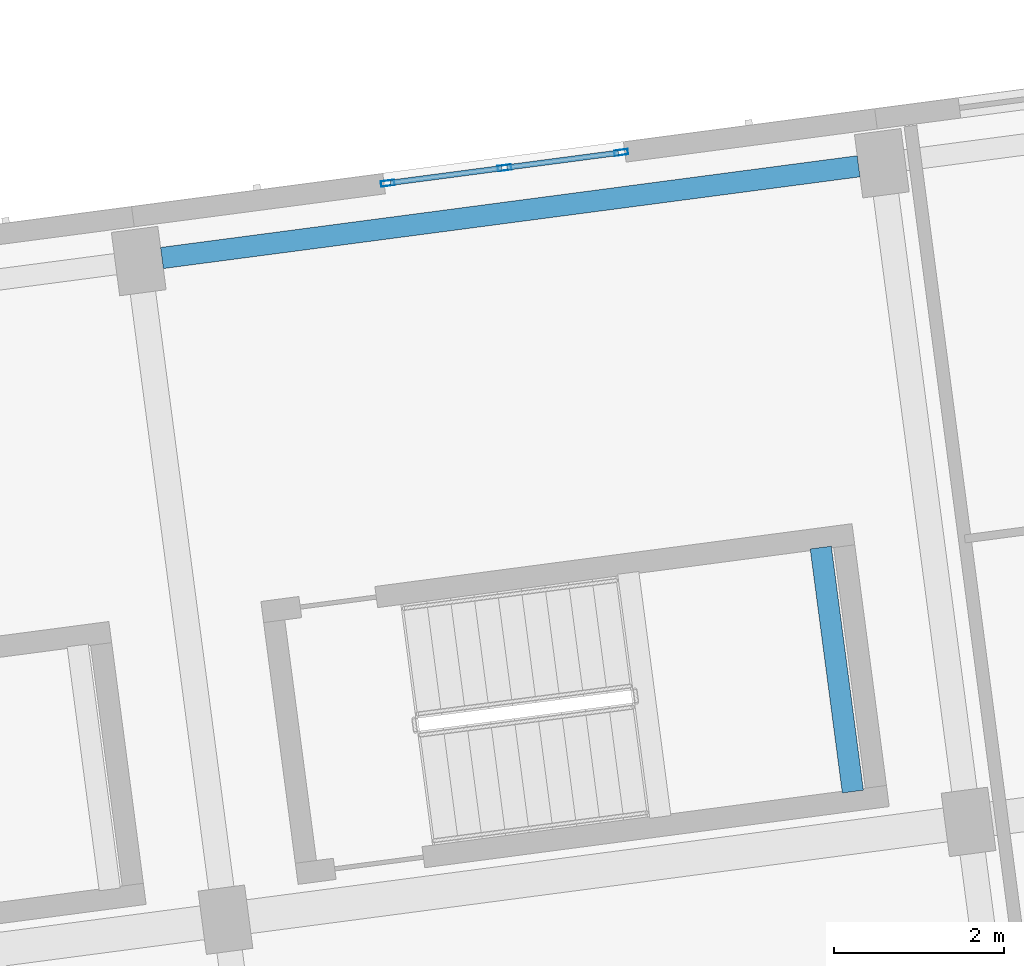
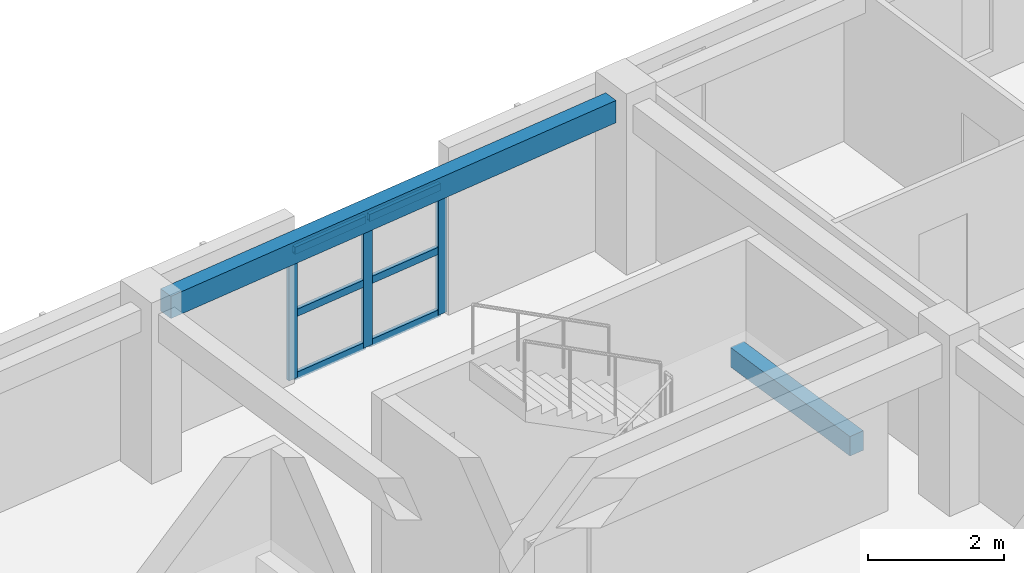
# One storey, part 3 of 65: 9 members, 2 beams, 1 element without a shape of its own.
"""IFC4 building model written with IfcOpenShell, lengths in metres."""

from ifc_helpers import new_model, si_unit, direction, frame, origin, origin_2d, place, context, subcontext, project, spatial, rectangle, hollow_rectangle, extrude, material, material_profile, profile_set, type_object, element, aggregate, save


model = new_model("IFC4")

# Units and contexts
model_context = context("Model", 3, precision=1e-05, world=origin(), true_north=direction((0.0, 1.0)))
body_context = subcontext(model_context, "Body", "Model", "MODEL_VIEW")
ifc_project = project(units=[si_unit("LENGTHUNIT", "METRE"), si_unit("AREAUNIT", "SQUARE_METRE"), si_unit("VOLUMEUNIT", "CUBIC_METRE"), si_unit("PLANEANGLEUNIT", "RADIAN"), si_unit("MASSUNIT", "GRAM", prefix="KILO")], contexts=[model_context])

# Site, building, storey
site_placement = place(None, origin())
site = spatial("IfcSite", under=ifc_project, at=site_placement, CompositionType="ELEMENT")
building_placement = place(site_placement, origin())
building = spatial("IfcBuilding", under=site, at=building_placement, Name="Kestramere Prow Commons", CompositionType="ELEMENT")
storey_placement = place(building_placement, frame((0.0, 0.0, 21.39990234375)))
storey = spatial("IfcBuildingStorey", under=building, at=storey_placement, Name="L06", CompositionType="ELEMENT", Elevation=21.39990234375)

# Beam
ifc_material_1 = material(Name="Concrete C40/50", Category="concrete")
ifc_material_profile_1 = material_profile(ifc_material_1, rectangle(XDim=0.25, YDim=0.35009765625, at=origin_2d()), Name="PC-BM 250x350")
ifc_profile_set_1 = profile_set([ifc_material_profile_1], Name="Concrete C40/50")
beam_type_1 = type_object("IfcBeamType", Name="BM-ST-TRIM", PredefinedType="BEAM", material=ifc_profile_set_1)
beam_1_placement = place(storey_placement, frame((34.423583984375, 87.897216796875, 1.25), z_axis=(-0.130509140242, 0.99144710616, 0.0), x_axis=(-0.99144710616, -0.130509140242, 0.0)))
element("IfcBeam", 1, at=beam_1_placement, inside=storey, type_object=beam_type_1, Name="ST-A2 L06 Landing Trimmer Beam 1B", PredefinedType="BEAM", context=body_context, shape_type="SweptSolid", body=[
    extrude(rectangle(XDim=0.25, YDim=0.35009765625, at=origin_2d()), origin(), (0.0, 0.0, 1.0), 2.89013671875),
])

# Curtain wall, members
ifc_material_2 = material(Name="Anodised Aluminium and Low-E Glass", Category="aluminium")
curtain_wall_type = type_object("IfcCurtainWallType", Name="CW-03 Glazed Curtain Wall 2830x2320", PredefinedType="USERDEFINED", material=ifc_material_2)
curtain_wall_placement = place(storey_placement, origin())
curtain_wall = element("IfcCurtainWall", 2, at=curtain_wall_placement, inside=storey, type_object=curtain_wall_type, Name="Block A L06 Stairwell Vertical Glazing 3", ObjectType="GLAZED CURTAIN WALL", PredefinedType="USERDEFINED")
ifc_material_3 = material(Name="Anodised Aluminium 6063-T6", Category="aluminium")
ifc_material_profile_2 = material_profile(ifc_material_3, hollow_rectangle(XDim=0.06494140625, YDim=0.159912109375, WallThickness=0.00390625, at=origin_2d()), Name="ALU-MUL 65x160")
ifc_profile_set_2 = profile_set([ifc_material_profile_2], Name="Anodised Aluminium 6063-T6")
member_type_1 = type_object("IfcMemberType", Name="CW-MUL-65x160", PredefinedType="MULLION", material=ifc_profile_set_2)
member_1_placement = place(storey_placement, frame((28.962158203125, 95.04052734375, 0.0), z_axis=(0.0, 0.0, 1.0), x_axis=(-0.130526494555, 0.991444821571, 0.0)))
member_1 = element("IfcMember", 3, at=member_1_placement, type_object=member_type_1, Name="CW-03 mullion 1", PredefinedType="MULLION", context=body_context, shape_type="SweptSolid", body=[
    extrude(hollow_rectangle(XDim=0.06494140625, YDim=0.159912109375, WallThickness=0.00390625, at=origin_2d()), origin(), (0.0, 0.0, 1.0), 2.320068359375),
])
member_2_placement = place(storey_placement, frame((30.332763671875, 95.220947265625, 0.0), z_axis=(0.0, 0.0, 1.0), x_axis=(-0.130526494555, 0.991444821571, 0.0)))
member_2 = element("IfcMember", 4, at=member_2_placement, type_object=member_type_1, Name="CW-03 mullion 2", PredefinedType="MULLION", context=body_context, shape_type="SweptSolid", body=[
    extrude(hollow_rectangle(XDim=0.06494140625, YDim=0.159912109375, WallThickness=0.00390625, at=origin_2d()), origin(), (0.0, 0.0, 1.0), 2.320068359375),
])
member_3_placement = place(storey_placement, frame((31.703369140625, 95.4013671875, 0.0), z_axis=(0.0, 0.0, 1.0), x_axis=(-0.130526494555, 0.991444821571, 0.0)))
member_3 = element("IfcMember", 5, at=member_3_placement, type_object=member_type_1, Name="CW-03 mullion 3", PredefinedType="MULLION", context=body_context, shape_type="SweptSolid", body=[
    extrude(hollow_rectangle(XDim=0.06494140625, YDim=0.159912109375, WallThickness=0.00390625, at=origin_2d()), origin(), (0.0, 0.0, 1.0), 2.320068359375),
])
ifc_material_profile_3 = material_profile(ifc_material_3, hollow_rectangle(XDim=0.06494140625, YDim=0.1298828125, WallThickness=0.00390625, at=origin_2d()), Name="ALU-TRN 65x130")
ifc_profile_set_3 = profile_set([ifc_material_profile_3], Name="Anodised Aluminium 6063-T6")
member_type_2 = type_object("IfcMemberType", Name="CW-TRN-65x130", PredefinedType="USERDEFINED", material=ifc_profile_set_3)
member_4_placement = place(storey_placement, frame((28.994384765625, 95.044677734375, 0.03271484375), z_axis=(0.99142904707, 0.130646257605, 0.0), x_axis=(-0.130646257605, 0.99142904707, 0.0)))
member_4 = element("IfcMember", 6, at=member_4_placement, type_object=member_type_2, Name="CW-03 transom 1.1", ObjectType="TRANSOM", PredefinedType="USERDEFINED", context=body_context, shape_type="SweptSolid", body=[
    extrude(hollow_rectangle(XDim=0.06494140625, YDim=0.1298828125, WallThickness=0.00390625, at=origin_2d()), origin(), (0.0, 0.0, 1.0), 1.3173828125),
])
member_5_placement = place(storey_placement, frame((28.994384765625, 95.044677734375, 1.16015625), z_axis=(0.99142904707, 0.130646257605, 0.0), x_axis=(-0.130646257605, 0.99142904707, 0.0)))
member_5 = element("IfcMember", 7, at=member_5_placement, type_object=member_type_2, Name="CW-03 transom 1.2", ObjectType="TRANSOM", PredefinedType="USERDEFINED", context=body_context, shape_type="SweptSolid", body=[
    extrude(hollow_rectangle(XDim=0.06494140625, YDim=0.1298828125, WallThickness=0.00390625, at=origin_2d()), origin(), (0.0, 0.0, 1.0), 1.3173828125),
])
member_6_placement = place(storey_placement, frame((28.994384765625, 95.044677734375, 2.28759765625), z_axis=(0.99142904707, 0.130646257605, 0.0), x_axis=(-0.130646257605, 0.99142904707, 0.0)))
member_6 = element("IfcMember", 8, at=member_6_placement, type_object=member_type_2, Name="CW-03 transom 1.3", ObjectType="TRANSOM", PredefinedType="USERDEFINED", context=body_context, shape_type="SweptSolid", body=[
    extrude(hollow_rectangle(XDim=0.06494140625, YDim=0.1298828125, WallThickness=0.00390625, at=origin_2d()), origin(), (0.0, 0.0, 1.0), 1.3173828125),
])
member_7_placement = place(storey_placement, frame((30.364990234375, 95.225341796875, 0.03271484375), z_axis=(0.991453033969, 0.130464100171, 0.0), x_axis=(-0.130464100171, 0.991453033969, 0.0)))
member_7 = element("IfcMember", 9, at=member_7_placement, type_object=member_type_2, Name="CW-03 transom 2.1", ObjectType="TRANSOM", PredefinedType="USERDEFINED", context=body_context, shape_type="SweptSolid", body=[
    extrude(hollow_rectangle(XDim=0.06494140625, YDim=0.1298828125, WallThickness=0.00390625, at=origin_2d()), origin(), (0.0, 0.0, 1.0), 1.3173828125),
])
member_8_placement = place(storey_placement, frame((30.364990234375, 95.225341796875, 1.16015625), z_axis=(0.991453033969, 0.130464100171, 0.0), x_axis=(-0.130464100171, 0.991453033969, 0.0)))
member_8 = element("IfcMember", 10, at=member_8_placement, type_object=member_type_2, Name="CW-03 transom 2.2", ObjectType="TRANSOM", PredefinedType="USERDEFINED", context=body_context, shape_type="SweptSolid", body=[
    extrude(hollow_rectangle(XDim=0.06494140625, YDim=0.1298828125, WallThickness=0.00390625, at=origin_2d()), origin(), (0.0, 0.0, 1.0), 1.3173828125),
])
member_9_placement = place(storey_placement, frame((30.364990234375, 95.225341796875, 2.28759765625), z_axis=(0.991453033969, 0.130464100171, 0.0), x_axis=(-0.130464100171, 0.991453033969, 0.0)))
member_9 = element("IfcMember", 11, at=member_9_placement, type_object=member_type_2, Name="CW-03 transom 2.3", ObjectType="TRANSOM", PredefinedType="USERDEFINED", context=body_context, shape_type="SweptSolid", body=[
    extrude(hollow_rectangle(XDim=0.06494140625, YDim=0.1298828125, WallThickness=0.00390625, at=origin_2d()), origin(), (0.0, 0.0, 1.0), 1.3173828125),
])
aggregate(curtain_wall, [member_1, member_2, member_3, member_4, member_5, member_6, member_7, member_8, member_9])

# Beam
ifc_material_4 = material(Name="Precast concrete C40/50", Category="concrete")
ifc_material_profile_4 = material_profile(ifc_material_4, rectangle(XDim=0.25, YDim=0.39990234375, at=origin_2d()), Name="PC-SP 250x400")
ifc_profile_set_4 = profile_set([ifc_material_profile_4], Name="Precast concrete C40/50")
beam_type_2 = type_object("IfcBeamType", Name="SP-EXT-01 PC-SP 250x400", PredefinedType="SPANDREL", material=ifc_profile_set_4)
beam_2_placement = place(storey_placement, frame((26.3115234375, 94.162109375, 2.800048828125), z_axis=(0.991443917843, 0.130533358852, 0.0), x_axis=(-0.130533358852, 0.991443917843, 0.0)))
element("IfcBeam", 12, at=beam_2_placement, inside=storey, type_object=beam_type_2, Name="Block A L06 Longitudinal Beam 4-3", PredefinedType="SPANDREL", context=body_context, shape_type="SweptSolid", body=[
    extrude(rectangle(XDim=0.25, YDim=0.39990234375, at=origin_2d()), origin(), (0.0, 0.0, 1.0), 8.25),
])

save(model, "model.ifc")
